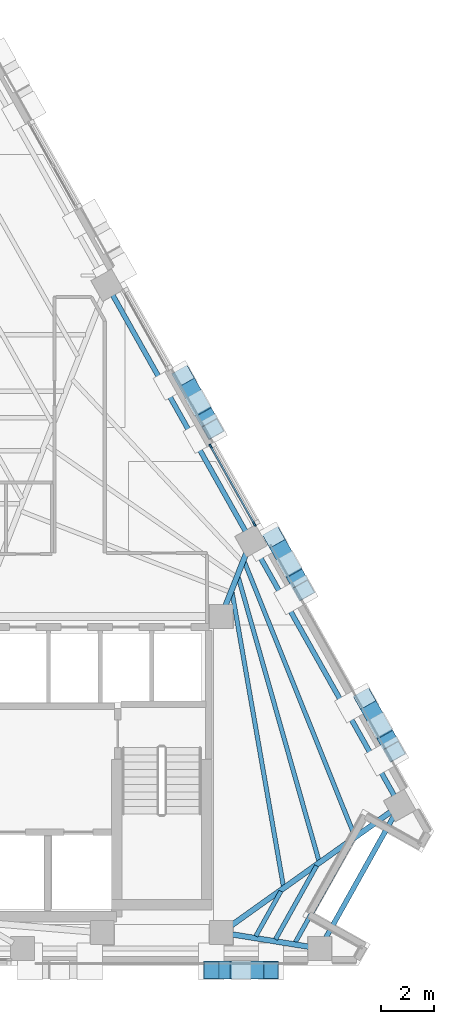
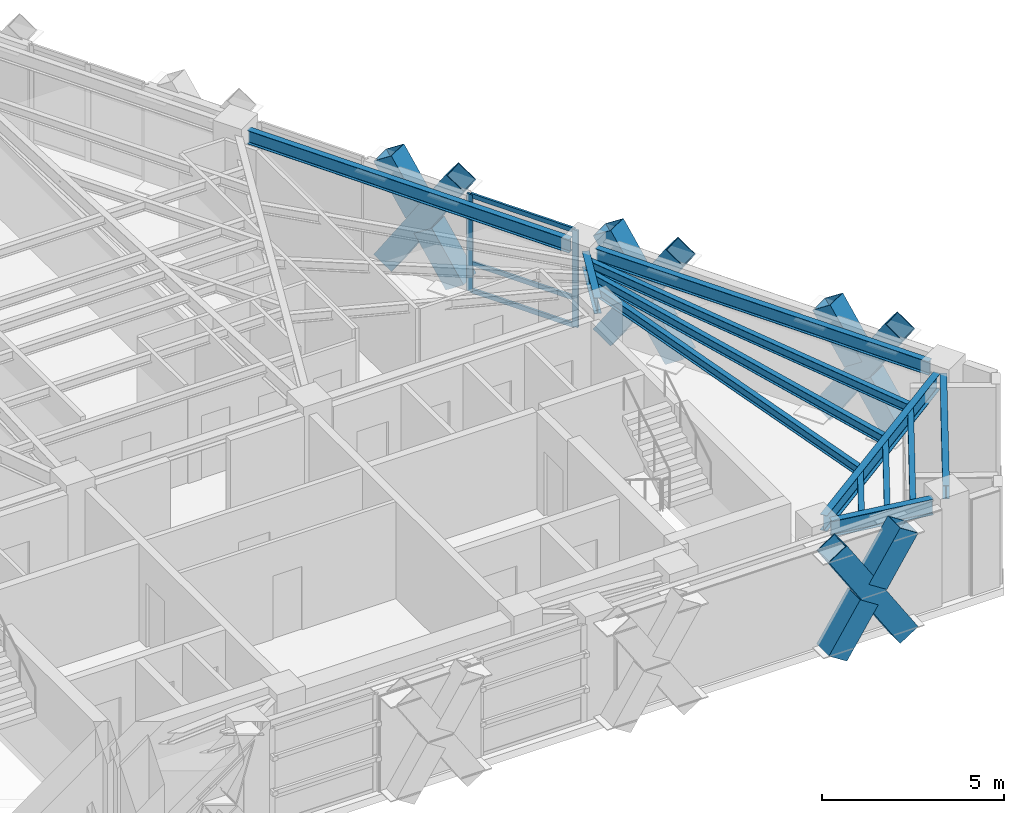
# One storey, part 5 of 12: 17 members, 12 beams, 1 element without a shape of its own.
"""IFC4 building model written with IfcOpenShell, lengths in metres."""

import ifcopenshell
import ifcopenshell.guid

model = None  # the IFC model being written
_history = None  # IfcOwnerHistory: only IFC2X3 demands one
_inside = {}  # id of a spatial element -> (the spatial element, [elements in it])
_under = {}  # id of a project, library or spatial element -> (it, [spatial elements below it])
_declared = {}  # id of a project -> (the project, [libraries it declares])
_typed = {}  # id of a type object -> (the type object, [elements of that type])
_made_of = {}  # id of a material, layer set ... -> (it, [elements and type objects made of it])


def new_model(schema):
    """Start an empty IFC model of exactly this schema.

    Asked for "IFC4X3", IfcOpenShell would pick the latest addendum, in which some entities
    have other attributes; the version numbers below select the first issue.
    IFC2X3 requires an IfcOwnerHistory on every rooted entity: one is made here for all.
    """
    global model, _history
    if schema == "IFC4X3":
        model = ifcopenshell.file(schema_version=(4, 3, 0, 0))
    else:
        model = ifcopenshell.file(schema=schema)
    _inside.clear()
    _under.clear()
    _declared.clear()
    _typed.clear()
    _made_of.clear()
    _history = None
    if model.schema == "IFC2X3":
        org = make("IfcOrganization", Name="unknown")
        user = make(
            "IfcPersonAndOrganization",
            ThePerson=make("IfcPerson", FamilyName="unknown"),
            TheOrganization=org,
        )
        app = make(
            "IfcApplication",
            ApplicationDeveloper=org,
            Version="unknown",
            ApplicationFullName="unknown",
            ApplicationIdentifier="unknown",
        )
        _history = make(
            "IfcOwnerHistory",
            OwningUser=user,
            OwningApplication=app,
            ChangeAction="ADDED",
            CreationDate=0,
        )
    return model


def make(cls, **values):
    """One entity of the class cls with the attributes given. An attribute that is None is left unset."""
    return model.create_entity(
        cls, **{name: value for name, value in values.items() if value is not None}
    )


def rooted(cls, **values):
    """An entity with a GlobalId (a new one), such as an element, a storey or a relation."""
    return make(cls, GlobalId=ifcopenshell.guid.new(), OwnerHistory=_history, **values)


def si_unit(unit_type, name, prefix=None):
    """IfcSIUnit, for example si_unit("LENGTHUNIT", "METRE", prefix="MILLI")."""
    return make("IfcSIUnit", UnitType=unit_type, Prefix=prefix, Name=name)


def assignment(units):
    """IfcUnitAssignment: the units of a project."""
    return None if units is None else make("IfcUnitAssignment", Units=units)


def point(xyz):
    """IfcCartesianPoint."""
    return None if xyz is None else make("IfcCartesianPoint", Coordinates=xyz)


def direction(xyz):
    """IfcDirection."""
    return None if xyz is None else make("IfcDirection", DirectionRatios=xyz)


def frame(location, z_axis=None, x_axis=None):
    """IfcAxis2Placement3D, a coordinate frame: its origin and axes. An axis left out is left unset."""
    return make(
        "IfcAxis2Placement3D",
        Location=point(location),
        Axis=direction(z_axis),
        RefDirection=direction(x_axis),
    )


def frame_2d(location, x_axis=None):
    """IfcAxis2Placement2D, a coordinate frame in the plane: its origin and x axis."""
    return make(
        "IfcAxis2Placement2D", Location=point(location), RefDirection=direction(x_axis)
    )


def origin():
    """The frame at (0, 0, 0) with its axes left unset."""
    return frame((0.0, 0.0, 0.0))


def origin_2d():
    """The frame at (0, 0) in the plane with its x axis left unset."""
    return frame_2d((0.0, 0.0))


def place(relative_to, where):
    """IfcLocalPlacement: puts the frame where relative to a parent placement (None: the world)."""
    return make(
        "IfcLocalPlacement", PlacementRelTo=relative_to, RelativePlacement=where
    )


def context(
    kind, dimensions, precision=None, world=None, true_north=None, identifier=None
):
    """IfcGeometricRepresentationContext, for example the 3D "Model" context."""
    return make(
        "IfcGeometricRepresentationContext",
        ContextIdentifier=identifier,
        ContextType=kind,
        CoordinateSpaceDimension=dimensions,
        Precision=precision,
        WorldCoordinateSystem=world,
        TrueNorth=true_north,
    )


def subcontext(parent, identifier, kind, view, scale=None):
    """IfcGeometricRepresentationSubContext, for example "Body" below "Model"."""
    return make(
        "IfcGeometricRepresentationSubContext",
        ContextIdentifier=identifier,
        ContextType=kind,
        ParentContext=parent,
        TargetScale=scale,
        TargetView=view,
    )


def project(units=None, contexts=None):
    """IfcProject with its units and contexts."""
    return rooted(
        "IfcProject",
        Name="project",
        RepresentationContexts=contexts,
        UnitsInContext=assignment(units),
    )


def spatial(cls, under=None, at=None, **own):
    """A site, building, storey or space (cls), placed at a placement, below another one or the project."""
    s = rooted(cls, ObjectPlacement=at, **own)
    if under is not None:
        _under.setdefault(under.id(), (under, []))[1].append(s)
    return s


def profile(cls, at=None, kind="AREA", **sizes):
    """A parametric profile (cls). Its sizes go by their IFC names, for example OverallWidth=200.0."""
    return make(cls, ProfileType=kind, Position=at, **sizes)


def rectangle(**sizes):
    """IfcRectangleProfileDef."""
    return profile("IfcRectangleProfileDef", **sizes)


def hollow_rectangle(**sizes):
    """IfcRectangleHollowProfileDef."""
    return profile("IfcRectangleHollowProfileDef", **sizes)


def i_section(**sizes):
    """IfcIShapeProfileDef."""
    return profile("IfcIShapeProfileDef", **sizes)


def extrude(swept, where, along, depth):
    """IfcExtrudedAreaSolid: the profile swept, set in the frame where, extruded along a direction by depth."""
    return make(
        "IfcExtrudedAreaSolid",
        SweptArea=swept,
        Position=where,
        ExtrudedDirection=direction(along),
        Depth=depth,
    )


def shape(context_of_items, identifier, shape_type, items):
    """IfcShapeRepresentation: the items that make up one representation, for example the "Body"."""
    return make(
        "IfcShapeRepresentation",
        ContextOfItems=context_of_items,
        RepresentationIdentifier=identifier,
        RepresentationType=shape_type,
        Items=items,
    )


def material(Name=None, Category=None):
    """IfcMaterial."""
    return make("IfcMaterial", Name=Name, Category=Category)


def material_profile(
    of_material, cross_section, Name=None, Category=None, Priority=None
):
    """IfcMaterialProfile: a cross section and its material."""
    return make(
        "IfcMaterialProfile",
        Name=Name,
        Material=of_material,
        Profile=cross_section,
        Priority=Priority,
        Category=Category,
    )


def profile_set(profiles, Name=None, composite=None):
    """IfcMaterialProfileSet."""
    return make(
        "IfcMaterialProfileSet",
        Name=Name,
        MaterialProfiles=profiles,
        CompositeProfile=composite,
    )


def made_of(thing, what):
    """Note that an element or type object is made of a material, layer set ...; save() writes the relation."""
    if what is not None:
        _made_of.setdefault(what.id(), (what, []))[1].append(thing)
    return thing


def type_object(cls, material=None, **own):
    """A type object (cls), such as IfcWallType, which elements share."""
    return made_of(rooted(cls, **own), material)


def element(
    cls,
    number,
    at=None,
    inside=None,
    cuts=None,
    type_object=None,
    material=None,
    context=None,
    identifier="Body",
    shape_type=None,
    held_by="IfcProductDefinitionShape",
    body=None,
    shapes=None,
    **own,
):
    """One element of the class cls, such as IfcWall. Its Tag is "e" and its number.

    at: its placement. inside: the storey or other place that contains it. cuts: it is an
    opening in that element (IfcRelVoidsElement). A single representation is given by context,
    identifier, shape_type and body (its items); several are given by shapes. held_by: the class
    of the entity that holds the representations. save() writes the other relations.
    """
    e = rooted(cls, Tag="e%d" % number, ObjectPlacement=at, **own)
    if body is not None:
        shapes = [shape(context, identifier, shape_type, body)]
    if shapes is not None:
        e.Representation = make(held_by, Representations=shapes)
    if inside is not None:
        _inside.setdefault(inside.id(), (inside, []))[1].append(e)
    if cuts is not None:
        rooted(
            "IfcRelVoidsElement", RelatingBuildingElement=cuts, RelatedOpeningElement=e
        )
    if type_object is not None:
        _typed.setdefault(type_object.id(), (type_object, []))[1].append(e)
    return made_of(e, material)


def aggregate(whole, parts):
    """IfcRelAggregates: a whole, such as a stair, and the parts it consists of."""
    return rooted("IfcRelAggregates", RelatingObject=whole, RelatedObjects=parts)


def save(model, path):
    """Write the relations noted so far, then the file.

    IfcRelAggregates (storeys below a building ...), IfcRelContainedInSpatialStructure (elements
    in a storey), IfcRelDefinesByType, IfcRelAssociatesMaterial and IfcRelDeclares: one each for
    every whole, place, type object, material and project.
    """
    for whole, parts in _under.values():
        aggregate(whole, parts)
    for where, things in _inside.values():
        rooted(
            "IfcRelContainedInSpatialStructure",
            RelatedElements=things,
            RelatingStructure=where,
        )
    for kind, things in _typed.values():
        rooted("IfcRelDefinesByType", RelatedObjects=things, RelatingType=kind)
    for what, things in _made_of.values():
        rooted("IfcRelAssociatesMaterial", RelatedObjects=things, RelatingMaterial=what)
    for by, libraries in _declared.values():
        rooted("IfcRelDeclares", RelatingContext=by, RelatedDefinitions=libraries)
    model.write(path)


model = new_model("IFC4")

# Units and contexts
model_context = context("Model", 3, precision=1e-05, world=origin(), true_north=direction((0.0, 1.0)))
body_context = subcontext(model_context, "Body", "Model", "MODEL_VIEW")
ifc_project = project(units=[si_unit("LENGTHUNIT", "METRE"), si_unit("AREAUNIT", "SQUARE_METRE"), si_unit("VOLUMEUNIT", "CUBIC_METRE"), si_unit("PLANEANGLEUNIT", "RADIAN"), si_unit("MASSUNIT", "GRAM", prefix="KILO")], contexts=[model_context])

# Site, building, storey
site_placement = place(None, origin())
site = spatial("IfcSite", under=ifc_project, at=site_placement, CompositionType="ELEMENT")
building_placement = place(site_placement, origin())
building = spatial("IfcBuilding", under=site, at=building_placement, Name="Quenlor Broadcast Tower", CompositionType="ELEMENT")
storey_placement = place(building_placement, frame((0.0, 0.0, 204.39990234375)))
storey = spatial("IfcBuildingStorey", under=building, at=storey_placement, Name="L56", CompositionType="ELEMENT", Elevation=204.39990234375)

# Curtain wall, members
ifc_material_1 = material(Name="Architectural Terracotta and Low-E Glazing", Category="masonry")
curtain_wall_type = type_object("IfcCurtainWallType", Name="Unitised Terracotta Curtain Wall System Z4", PredefinedType="NOTDEFINED", material=ifc_material_1)
curtain_wall_placement = place(storey_placement, origin())
curtain_wall = element("IfcCurtainWall", 1, at=curtain_wall_placement, inside=storey, type_object=curtain_wall_type, Name="L56 Curtain Wall CW4 (L56-NE-G2)", PredefinedType="NOTDEFINED")
ifc_material_2 = material(Name="Aluminium 6063-T6", Category="aluminium")
ifc_material_profile_1 = material_profile(ifc_material_2, rectangle(XDim=0.068115234375, YDim=0.179931640625, at=origin_2d()))
ifc_profile_set_1 = profile_set([ifc_material_profile_1], Name="Aluminium 6063-T6 MULL68x180")
member_type_1 = type_object("IfcMemberType", Name="CW4 Aluminium Mullion MULL_CW4", PredefinedType="MULLION", material=ifc_profile_set_1)
member_1_placement = place(storey_placement, frame((12.55126953125, 1.627685546875, 0.0), z_axis=(0.0, 0.0, 1.0), x_axis=(0.871577871382, 0.490257089819, 0.0)))
member_1 = element("IfcMember", 2, at=member_1_placement, type_object=member_type_1, Name="CW4 mullion 1", PredefinedType="MULLION", context=body_context, shape_type="SweptSolid", body=[
    extrude(rectangle(XDim=0.068115234375, YDim=0.179931640625, at=origin_2d()), origin(), (0.0, 0.0, 1.0), 3.25),
])
member_2_placement = place(storey_placement, frame((14.20068359375, -1.3046875, 0.0), z_axis=(0.0, 0.0, 1.0), x_axis=(0.871577871382, 0.490257089819, 0.0)))
member_2 = element("IfcMember", 3, at=member_2_placement, type_object=member_type_1, Name="CW4 mullion 2", PredefinedType="MULLION", context=body_context, shape_type="SweptSolid", body=[
    extrude(rectangle(XDim=0.068115234375, YDim=0.179931640625, at=origin_2d()), origin(), (0.0, 0.0, 1.0), 3.25),
])
ifc_material_3 = material(Name="Aluminium 6063-T6", Category="aluminium")
ifc_material_profile_2 = material_profile(ifc_material_3, rectangle(XDim=0.068115234375, YDim=0.14990234375, at=origin_2d()))
ifc_profile_set_2 = profile_set([ifc_material_profile_2], Name="Aluminium 6063-T6 TRAN68x150")
member_type_2 = type_object("IfcMemberType", Name="CW4 Aluminium Transom TRAN_CW4", PredefinedType="USERDEFINED", material=ifc_profile_set_2)
member_3_placement = place(storey_placement, frame((12.568115234375, 1.597900390625, 0.0341796875), z_axis=(0.490233108043, -0.871591360546, 0.0), x_axis=(0.871591360546, 0.490233108043, 0.0)))
member_3 = element("IfcMember", 4, at=member_3_placement, type_object=member_type_2, Name="CW4 transom 1.1", ObjectType="TRANSOM", PredefinedType="USERDEFINED", context=body_context, shape_type="SweptSolid", body=[
    extrude(rectangle(XDim=0.068115234375, YDim=0.14990234375, at=origin_2d()), origin(), (0.0, 0.0, 1.0), 3.29638671875),
])
member_4_placement = place(storey_placement, frame((12.568115234375, 1.597900390625, 0.9501953125), z_axis=(0.490233108043, -0.871591360546, 0.0), x_axis=(0.871591360546, 0.490233108043, 0.0)))
member_4 = element("IfcMember", 5, at=member_4_placement, type_object=member_type_2, Name="CW4 transom 1.2", ObjectType="TRANSOM", PredefinedType="USERDEFINED", context=body_context, shape_type="SweptSolid", body=[
    extrude(rectangle(XDim=0.068115234375, YDim=0.14990234375, at=origin_2d()), origin(), (0.0, 0.0, 1.0), 3.29638671875),
])
member_5_placement = place(storey_placement, frame((12.568115234375, 1.597900390625, 3.216064453125), z_axis=(0.490233108043, -0.871591360546, 0.0), x_axis=(0.871591360546, 0.490233108043, 0.0)))
member_5 = element("IfcMember", 6, at=member_5_placement, type_object=member_type_2, Name="CW4 transom 1.3", ObjectType="TRANSOM", PredefinedType="USERDEFINED", context=body_context, shape_type="SweptSolid", body=[
    extrude(rectangle(XDim=0.068115234375, YDim=0.14990234375, at=origin_2d()), origin(), (0.0, 0.0, 1.0), 3.29638671875),
])
aggregate(curtain_wall, [member_1, member_2, member_3, member_4, member_5])

# Members
ifc_material_4 = material(Name="Steel S355", Category="steel")
ifc_material_profile_3 = material_profile(ifc_material_4, hollow_rectangle(XDim=0.679931640625, YDim=0.679931640625, WallThickness=0.02490234375, at=origin_2d()))
ifc_profile_set_3 = profile_set([ifc_material_profile_3], Name="Steel S355 RHS680x680x25")
member_type_3 = type_object("IfcMemberType", Name="Perimeter Diagonal Lattice Brace Z3-Z4 Steel S355 RHS680x25", PredefinedType="BRACE", material=ifc_profile_set_3)
member_6_placement = place(storey_placement, frame((14.828857421875, -18.169921875, -0.119873046875), z_axis=(-0.541794306908, 0.0, 0.840511111766), x_axis=(0.0, -1.0, 0.0)))
element("IfcMember", 7, at=member_6_placement, inside=storey, type_object=member_type_3, Name="L56 Perimeter Diamond Lattice S-C1XA", PredefinedType="BRACE", context=body_context, shape_type="SweptSolid", body=[
    extrude(hollow_rectangle(XDim=0.679931640625, YDim=0.679931640625, WallThickness=0.02490234375, at=origin_2d()), origin(), (0.0, 0.0, 1.0), 4.1640625),
])
member_7_placement = place(storey_placement, frame((12.57275390625, -18.169921875, -0.119873046875), z_axis=(0.54184151587, 0.0, 0.840480678945), x_axis=(0.0, 1.0, 0.0)))
element("IfcMember", 8, at=member_7_placement, inside=storey, type_object=member_type_3, Name="L56 Perimeter Diamond Lattice S-C1XB1", PredefinedType="BRACE", context=body_context, shape_type="SweptSolid", body=[
    extrude(hollow_rectangle(XDim=0.679931640625, YDim=0.679931640625, WallThickness=0.02490234375, at=origin_2d()), origin(), (0.0, 0.0, 1.0), 1.83203125),
])
member_8_placement = place(storey_placement, frame((13.836181640625, -18.169921875, 1.840087890625), z_axis=(0.541780832962, 0.0, 0.840519796932), x_axis=(0.0, 1.0, 0.0)))
element("IfcMember", 9, at=member_8_placement, inside=storey, type_object=member_type_3, Name="L56 Perimeter Diamond Lattice S-C1XB2", PredefinedType="BRACE", context=body_context, shape_type="SweptSolid", body=[
    extrude(hollow_rectangle(XDim=0.679931640625, YDim=0.679931640625, WallThickness=0.02490234375, at=origin_2d()), origin(), (0.0, 0.0, 1.0), 1.832275390625),
])
member_9_placement = place(storey_placement, frame((11.508544921875, 4.287109375, -0.119873046875), z_axis=(0.269493020061, -0.479144022478, 0.835340959047), x_axis=(0.871595351467, 0.490226012469, 0.0)))
element("IfcMember", 10, at=member_9_placement, inside=storey, type_object=member_type_3, Name="L56 Perimeter Diamond Lattice NE-C3XA", PredefinedType="BRACE", context=body_context, shape_type="SweptSolid", body=[
    extrude(hollow_rectangle(XDim=0.679931640625, YDim=0.679931640625, WallThickness=0.02490234375, at=origin_2d()), origin(), (0.0, 0.0, 1.0), 4.18994140625),
])
for number, where, z_axis, x_axis, name in (
    (11, (12.6376953125, 2.279541015625, -0.119873046875), (-0.269535527865, 0.479130165145, 0.835335192642), (-0.871556252289, -0.490295522207, 0.0), "L56 Perimeter Diamond Lattice NE-C3XB1"),
    (12, (12.005859375, 3.403076171875, 1.8388671875), (-0.269535527865, 0.479130165145, 0.835335192642), (-0.871556252289, -0.490295522207, 0.0), "L56 Perimeter Diamond Lattice NE-C3XB2"),
):
    element("IfcMember", number, at=place(storey_placement, frame(where, z_axis=z_axis, x_axis=x_axis)), inside=storey, type_object=member_type_3, Name=name, PredefinedType="BRACE", context=body_context, shape_type="SweptSolid", body=[
        extrude(hollow_rectangle(XDim=0.679931640625, YDim=0.679931640625, WallThickness=0.02490234375, at=origin_2d()), origin(), (0.0, 0.0, 1.0), 1.844970703125),
    ])
member_10_placement = place(storey_placement, frame((14.9375, -1.80908203125, -0.119873046875), z_axis=(0.269547055694, -0.479136497832, 0.835327840559), x_axis=(0.871550060774, 0.49030652817, 0.0)))
element("IfcMember", 13, at=member_10_placement, inside=storey, type_object=member_type_3, Name="L56 Perimeter Diamond Lattice NE-C4XA", PredefinedType="BRACE", context=body_context, shape_type="SweptSolid", body=[
    extrude(hollow_rectangle(XDim=0.679931640625, YDim=0.679931640625, WallThickness=0.02490234375, at=origin_2d()), origin(), (0.0, 0.0, 1.0), 4.18994140625),
])
for number, where, z_axis, x_axis, name in (
    (14, (16.06689453125, -3.816650390625, -0.119873046875), (-0.269535527865, 0.479130165145, 0.835335192642), (-0.871556252289, -0.490295522207, 0.0), "L56 Perimeter Diamond Lattice NE-C4XB1"),
    (15, (15.434814453125, -2.693115234375, 1.8388671875), (-0.269535527865, 0.479130165145, 0.835335192642), (-0.871556252289, -0.490295522207, 0.0), "L56 Perimeter Diamond Lattice NE-C4XB2"),
):
    element("IfcMember", number, at=place(storey_placement, frame(where, z_axis=z_axis, x_axis=x_axis)), inside=storey, type_object=member_type_3, Name=name, PredefinedType="BRACE", context=body_context, shape_type="SweptSolid", body=[
        extrude(hollow_rectangle(XDim=0.679931640625, YDim=0.679931640625, WallThickness=0.02490234375, at=origin_2d()), origin(), (0.0, 0.0, 1.0), 1.844970703125),
    ])
member_11_placement = place(storey_placement, frame((18.36669921875, -7.9052734375, -0.119873046875), z_axis=(0.269547055694, -0.479136497832, 0.835327840559), x_axis=(0.871550060774, 0.49030652817, 0.0)))
element("IfcMember", 16, at=member_11_placement, inside=storey, type_object=member_type_3, Name="L56 Perimeter Diamond Lattice NE-C5XA", PredefinedType="BRACE", context=body_context, shape_type="SweptSolid", body=[
    extrude(hollow_rectangle(XDim=0.679931640625, YDim=0.679931640625, WallThickness=0.02490234375, at=origin_2d()), origin(), (0.0, 0.0, 1.0), 4.18994140625),
])
for number, where, z_axis, x_axis, name in (
    (17, (19.49609375, -9.912841796875, -0.119873046875), (-0.269535527865, 0.479130165145, 0.835335192642), (-0.871556252289, -0.490295522207, 0.0), "L56 Perimeter Diamond Lattice NE-C5XB1"),
    (18, (18.864013671875, -8.789306640625, 1.8388671875), (-0.269535527865, 0.479130165145, 0.835335192642), (-0.871556252289, -0.490295522207, 0.0), "L56 Perimeter Diamond Lattice NE-C5XB2"),
):
    element("IfcMember", number, at=place(storey_placement, frame(where, z_axis=z_axis, x_axis=x_axis)), inside=storey, type_object=member_type_3, Name=name, PredefinedType="BRACE", context=body_context, shape_type="SweptSolid", body=[
        extrude(hollow_rectangle(XDim=0.679931640625, YDim=0.679931640625, WallThickness=0.02490234375, at=origin_2d()), origin(), (0.0, 0.0, 1.0), 1.844970703125),
    ])

# Beams
ifc_material_5 = material(Name="Steel S355", Category="steel")
ifc_material_profile_4 = material_profile(ifc_material_5, i_section(OverallWidth=0.18994140625, OverallDepth=0.453857421875, WebThickness=0.008544921875, FlangeThickness=0.0126953125, FilletRadius=0.011474609375, at=origin_2d()))
ifc_profile_set_4 = profile_set([ifc_material_profile_4], Name="Steel S355 460UB67.1")
beam_type_1 = type_object("IfcBeamType", Name="Perimeter Spandrel Beam Z4 Steel S355 460UB67.1", PredefinedType="SPANDREL", material=ifc_profile_set_4)
beam_1_placement = place(storey_placement, frame((16.875732421875, -16.991943359375, 3.023193359375), z_axis=(0.487647250206, 0.8730407547, 0.0), x_axis=(-0.8730407547, 0.487647250206, 0.0)))
element("IfcBeam", 19, at=beam_1_placement, inside=storey, type_object=beam_type_1, Name="L56 Spandrel Beam S4-NE1", PredefinedType="SPANDREL", context=body_context, shape_type="SweptSolid", body=[
    extrude(i_section(OverallWidth=0.18994140625, OverallDepth=0.453857421875, WebThickness=0.008544921875, FlangeThickness=0.0126953125, FilletRadius=0.011474609375, at=origin_2d()), origin(), (0.0, 0.0, 1.0), 5.37451171875),
])
beam_2_placement = place(storey_placement, frame((19.49560546875, -11.58447265625, 3.023193359375), z_axis=(-0.490272131974, 0.871569410093, 0.0), x_axis=(-0.871569410093, -0.490272131974, 0.0)))
element("IfcBeam", 20, at=beam_2_placement, inside=storey, type_object=beam_type_1, Name="L56 Spandrel Beam NE1-NE2", PredefinedType="SPANDREL", context=body_context, shape_type="SweptSolid", body=[
    extrude(i_section(OverallWidth=0.18994140625, OverallDepth=0.453857421875, WebThickness=0.008544921875, FlangeThickness=0.0126953125, FilletRadius=0.011474609375, at=origin_2d()), origin(), (0.0, 0.0, 1.0), 10.6416015625),
])
beam_3_placement = place(storey_placement, frame((13.87646484375, -1.594970703125, 3.023193359375), z_axis=(-0.490263496537, 0.871574267612, 0.0), x_axis=(-0.871574267612, -0.490263496537, 0.0)))
element("IfcBeam", 21, at=beam_3_placement, inside=storey, type_object=beam_type_1, Name="L56 Spandrel Beam NE2-NE3", PredefinedType="SPANDREL", context=body_context, shape_type="SweptSolid", body=[
    extrude(i_section(OverallWidth=0.18994140625, OverallDepth=0.453857421875, WebThickness=0.008544921875, FlangeThickness=0.0126953125, FilletRadius=0.011474609375, at=origin_2d()), origin(), (0.0, 0.0, 1.0), 10.271728515625),
])
ifc_material_6 = material(Name="Steel S355", Category="steel")
ifc_material_profile_5 = material_profile(ifc_material_6, i_section(OverallWidth=0.166015625, OverallDepth=0.30712890625, WebThickness=0.006591796875, FlangeThickness=0.01171875, FilletRadius=0.011474609375, at=origin_2d()))
ifc_profile_set_5 = profile_set([ifc_material_profile_5], Name="Steel S355 310UB46.2")
beam_type_2 = type_object("IfcBeamType", Name="Tower Composite Joist Z4-Z5 Steel S355 310UB46.2", PredefinedType="JOIST", material=ifc_profile_set_5)
beam_4_placement = place(storey_placement, frame((15.297607421875, -14.98828125, 3.096435546875), z_axis=(-0.172003691938, 0.985096304916, 0.0), x_axis=(-0.985096304916, -0.172003691938, 0.0)))
element("IfcBeam", 22, at=beam_4_placement, inside=storey, type_object=beam_type_2, Name="L56 Secondary Composite Joist 16", PredefinedType="JOIST", context=body_context, shape_type="SweptSolid", body=[
    extrude(i_section(OverallWidth=0.166015625, OverallDepth=0.30712890625, WebThickness=0.006591796875, FlangeThickness=0.01171875, FilletRadius=0.011474609375, at=origin_2d()), origin(), (0.0, 0.0, 1.0), 11.274169921875),
])
beam_5_placement = place(storey_placement, frame((16.638671875, -14.028564453125, 3.096435546875), z_axis=(-0.273447576454, 0.961886907558, 0.0), x_axis=(-0.961886907558, -0.273447576454, 0.0)))
element("IfcBeam", 23, at=beam_5_placement, inside=storey, type_object=beam_type_2, Name="L56 Secondary Composite Joist 17", PredefinedType="JOIST", context=body_context, shape_type="SweptSolid", body=[
    extrude(i_section(OverallWidth=0.166015625, OverallDepth=0.30712890625, WebThickness=0.006591796875, FlangeThickness=0.01171875, FilletRadius=0.011474609375, at=origin_2d()), origin(), (0.0, 0.0, 1.0), 11.142333984375),
])
beam_6_placement = place(storey_placement, frame((17.97998046875, -13.069580078125, 3.096435546875), z_axis=(-0.373094895103, 0.927793187757, 0.0), x_axis=(-0.927793187757, -0.373094895103, 0.0)))
element("IfcBeam", 24, at=beam_6_placement, inside=storey, type_object=beam_type_2, Name="L56 Secondary Composite Joist 18", PredefinedType="JOIST", context=body_context, shape_type="SweptSolid", body=[
    extrude(i_section(OverallWidth=0.166015625, OverallDepth=0.30712890625, WebThickness=0.006591796875, FlangeThickness=0.01171875, FilletRadius=0.011474609375, at=origin_2d()), origin(), (0.0, 0.0, 1.0), 11.13525390625),
])
beam_7_placement = place(storey_placement, frame((14.255859375, -16.88427734375, 3.096435546875), z_axis=(0.487590799665, 0.873072283423, 0.0), x_axis=(-0.873072283423, 0.487590799665, 0.0)))
element("IfcBeam", 25, at=beam_7_placement, inside=storey, type_object=beam_type_2, Name="L56 Secondary Composite Joist 22", PredefinedType="JOIST", context=body_context, shape_type="SweptSolid", body=[
    extrude(i_section(OverallWidth=0.166015625, OverallDepth=0.30712890625, WebThickness=0.006591796875, FlangeThickness=0.01171875, FilletRadius=0.011474609375, at=origin_2d()), origin(), (0.0, 0.0, 1.0), 1.9462890625),
])
beam_8_placement = place(storey_placement, frame((15.0009765625, -17.004150390625, 3.096435546875), z_axis=(0.487646119388, 0.87304138633, 0.0), x_axis=(-0.87304138633, 0.487646119388, 0.0)))
element("IfcBeam", 26, at=beam_8_placement, inside=storey, type_object=beam_type_2, Name="L56 Secondary Composite Joist 23", PredefinedType="JOIST", context=body_context, shape_type="SweptSolid", body=[
    extrude(i_section(OverallWidth=0.166015625, OverallDepth=0.30712890625, WebThickness=0.006591796875, FlangeThickness=0.01171875, FilletRadius=0.011474609375, at=origin_2d()), origin(), (0.0, 0.0, 1.0), 3.18505859375),
])
beam_9_placement = place(storey_placement, frame((15.74609375, -17.124267578125, 3.096435546875), z_axis=(0.487604899573, 0.873064408799, 0.0), x_axis=(-0.873064408799, 0.487604899573, 0.0)))
element("IfcBeam", 27, at=beam_9_placement, inside=storey, type_object=beam_type_2, Name="L56 Secondary Composite Joist 24", PredefinedType="JOIST", context=body_context, shape_type="SweptSolid", body=[
    extrude(i_section(OverallWidth=0.166015625, OverallDepth=0.30712890625, WebThickness=0.006591796875, FlangeThickness=0.01171875, FilletRadius=0.011474609375, at=origin_2d()), origin(), (0.0, 0.0, 1.0), 4.424072265625),
])
ifc_material_7 = material(Name="Steel S355", Category="steel")
ifc_material_profile_6 = material_profile(ifc_material_7, i_section(OverallWidth=0.208984375, OverallDepth=0.5283203125, WebThickness=0.009521484375, FlangeThickness=0.01318359375, FilletRadius=0.013916015625, at=origin_2d()))
ifc_profile_set_6 = profile_set([ifc_material_profile_6], Name="Steel S355 530UB82.0")
beam_type_3 = type_object("IfcBeamType", Name="Tower Primary Floor Beam Z4 Steel S355 530UB82.0", PredefinedType="BEAM", material=ifc_profile_set_6)
beam_10_placement = place(storey_placement, frame((16.27099609375, -17.284912109375, 2.986083984375), z_axis=(-0.987268490875, 0.159062650942, 0.0), x_axis=(-0.159062650942, -0.987268490875, 0.0)))
element("IfcBeam", 28, at=beam_10_placement, inside=storey, type_object=beam_type_3, Name="L56 Primary Radial Beam S4", PredefinedType="BEAM", context=body_context, shape_type="SweptSolid", body=[
    extrude(i_section(OverallWidth=0.208984375, OverallDepth=0.5283203125, WebThickness=0.009521484375, FlangeThickness=0.01318359375, FilletRadius=0.013916015625, at=origin_2d()), origin(), (0.0, 0.0, 1.0), 2.98388671875),
])
beam_11_placement = place(storey_placement, frame((19.362548828125, -12.1796875, 2.986083984375), z_axis=(-0.814329531787, -0.580402802938, 0.0), x_axis=(0.580402802938, -0.814329531787, 0.0)))
element("IfcBeam", 29, at=beam_11_placement, inside=storey, type_object=beam_type_3, Name="L56 Primary Radial Beam NE1", PredefinedType="BEAM", context=body_context, shape_type="SweptSolid", body=[
    extrude(i_section(OverallWidth=0.208984375, OverallDepth=0.5283203125, WebThickness=0.009521484375, FlangeThickness=0.01318359375, FilletRadius=0.013916015625, at=origin_2d()), origin(), (0.0, 0.0, 1.0), 7.49462890625),
])
beam_12_placement = place(storey_placement, frame((13.926513671875, -2.33349609375, 2.986083984375), z_axis=(-0.368110359783, -0.92978210513, 0.0), x_axis=(0.92978210513, -0.368110359783, 0.0)))
element("IfcBeam", 30, at=beam_12_placement, inside=storey, type_object=beam_type_3, Name="L56 Primary Radial Beam NE2", PredefinedType="BEAM", context=body_context, shape_type="SweptSolid", body=[
    extrude(i_section(OverallWidth=0.208984375, OverallDepth=0.5283203125, WebThickness=0.009521484375, FlangeThickness=0.01318359375, FilletRadius=0.013916015625, at=origin_2d()), origin(), (0.0, 0.0, 1.0), 2.27294921875),
])

save(model, "model.ifc")
